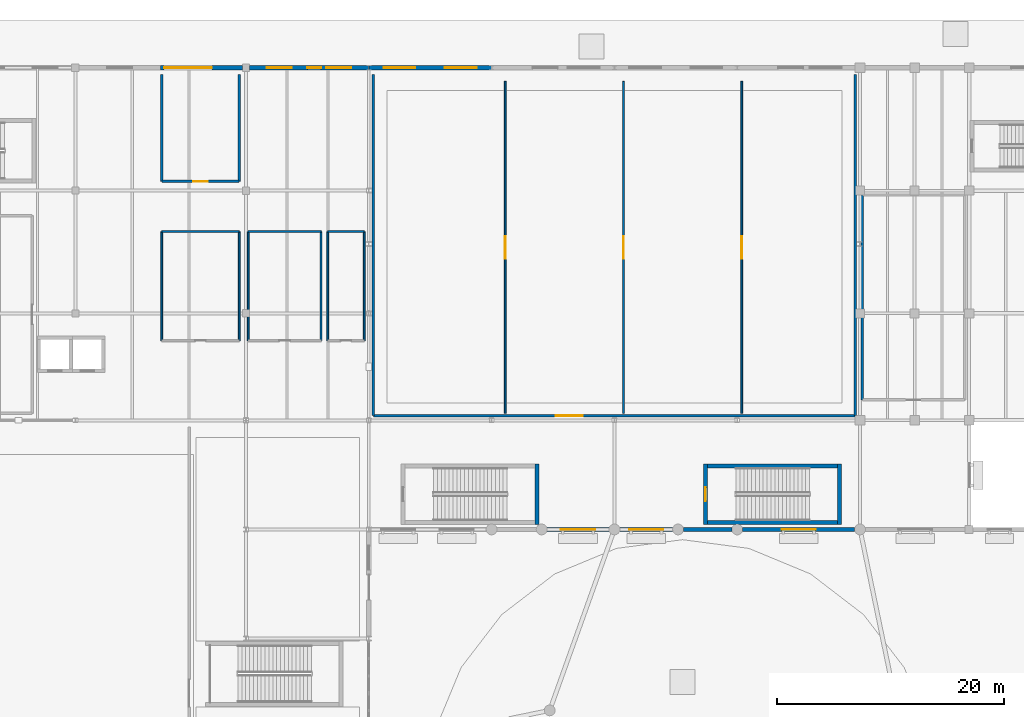
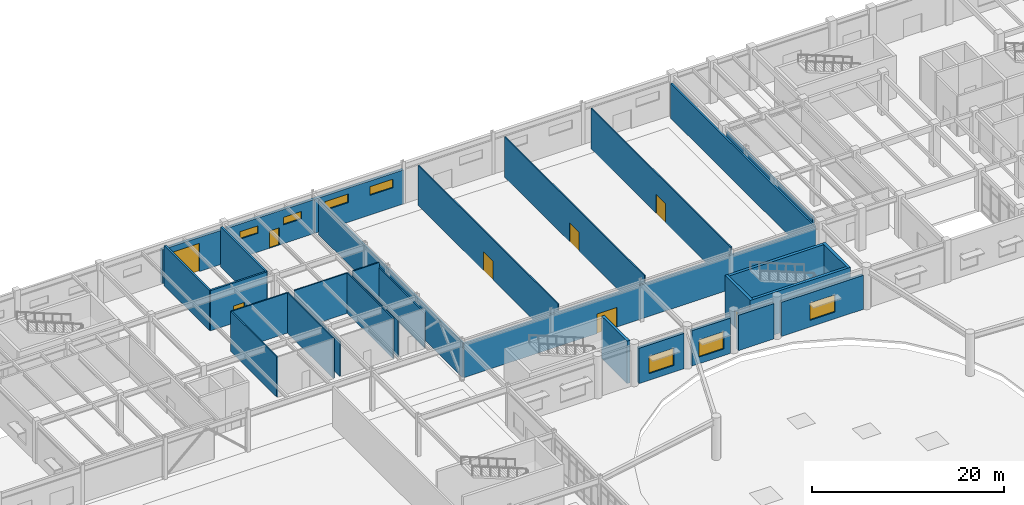
# One storey, part 32 of 54: 31 walls, 8 doors, 7 windows, 15 openings.
"""IFC4 building model written with IfcOpenShell, lengths in metres."""

from ifc_helpers import new_model, si_unit, direction, frame, frame_2d, origin, place, context, subcontext, project, spatial, rectangle, extrude, material, layer, layer_set, type_object, element, fill, save


model = new_model("IFC4")

# Units and contexts
model_context = context("Model", 3, precision=1e-05, world=origin(), true_north=direction((0.0, 1.0)))
body_context = subcontext(model_context, "Body", "Model", "MODEL_VIEW")
ifc_project = project(units=[si_unit("LENGTHUNIT", "METRE"), si_unit("AREAUNIT", "SQUARE_METRE"), si_unit("VOLUMEUNIT", "CUBIC_METRE"), si_unit("PLANEANGLEUNIT", "RADIAN"), si_unit("MASSUNIT", "GRAM", prefix="KILO")], contexts=[model_context])

# Site, building, storey
site_placement = place(None, origin())
site = spatial("IfcSite", under=ifc_project, at=site_placement, CompositionType="ELEMENT")
building_placement = place(site_placement, origin())
building = spatial("IfcBuilding", under=site, at=building_placement, Name="Veldera Park Congress Hotel", CompositionType="ELEMENT")
storey_placement = place(building_placement, origin())
storey = spatial("IfcBuildingStorey", under=building, at=storey_placement, Name="L00", CompositionType="ELEMENT", Elevation=0.0)

# Wall, openings, door, windows
ifc_material_1 = material(Name="Architectural Sandstone Cladding (ASTM C616)", Category="masonry")
ifc_layer_1 = layer(ifc_material_1, 0.360107421875)
ifc_layer_set_1 = layer_set([ifc_layer_1], Name="Architectural Sandstone Cladding (ASTM C616)")
wall_type_1 = type_object("IfcWallType", Name="EW-STONE360", PredefinedType="STANDARD", material=ifc_layer_set_1)
wall_1_placement = place(storey_placement, frame((-1.609375, 58.0, 0.0), z_axis=(0.0, 0.0, 1.0), x_axis=(-1.0, 0.0, 0.0)))
wall_1 = element("IfcWall", 1, at=wall_1_placement, inside=storey, type_object=wall_type_1, Name="L00 Exterior Wall EW3-L00-0019", PredefinedType="STANDARD", context=body_context, shape_type="SweptSolid", body=[
    extrude(rectangle(XDim=10.467529296875, YDim=0.360107421875, at=frame_2d((5.23388671875, 0.0))), origin(), (0.0, 0.0, 1.0), 4.3359375),
])
opening_1_placement = place(wall_1_placement, frame((4.190673828125, 0.0, 0.0)))
opening_1 = element("IfcOpeningElement", 2, at=opening_1_placement, cuts=wall_1, Name="Opening ED-SVC120", PredefinedType="OPENING", context=body_context, shape_type="SweptSolid", body=[
    extrude(rectangle(XDim=1.199951171875, YDim=2.199951171875, at=frame_2d((0.60009765625, 1.10009765625))), frame((0.0, 0.192138671875, 0.0), z_axis=(0.0, -1.0, 0.0), x_axis=(1.0, 0.0, 0.0)), (0.0, 0.0, 1.0), 0.384033203125),
])
opening_2_placement = place(wall_1_placement, frame((1.516845703125, 0.0, 2.39990234375)))
opening_2 = element("IfcOpeningElement", 3, at=opening_2_placement, cuts=wall_1, Name="Opening WIN-CLR2", PredefinedType="OPENING", context=body_context, shape_type="SweptSolid", body=[
    extrude(rectangle(XDim=2.199951171875, YDim=0.949951171875, at=frame_2d((1.10009765625, 0.47509765625))), frame((0.0, 0.192138671875, 0.0), z_axis=(0.0, -1.0, 0.0), x_axis=(1.0, 0.0, 0.0)), (0.0, 0.0, 1.0), 0.384033203125),
])
opening_3_placement = place(wall_1_placement, frame((6.750732421875, 0.0, 2.39990234375)))
opening_3 = element("IfcOpeningElement", 4, at=opening_3_placement, cuts=wall_1, Name="Opening WIN-CLR2", PredefinedType="OPENING", context=body_context, shape_type="SweptSolid", body=[
    extrude(rectangle(XDim=2.199951171875, YDim=0.949951171875, at=frame_2d((1.10009765625, 0.47509765625))), frame((0.0, 0.192138671875, 0.0), z_axis=(0.0, -1.0, 0.0), x_axis=(1.0, 0.0, 0.0)), (0.0, 0.0, 1.0), 0.384033203125),
])
ifc_material_2 = material(Name="Anodised Aluminium Alloy 6063-T6", Category="aluminium")
door_type_1 = type_object("IfcDoorType", Name="ED-SVC120", OperationType="NOTDEFINED", PredefinedType="DOOR", material=ifc_material_2)
door_1_placement = place(opening_1_placement, frame((1.199951171875, 0.0, 0.0), z_axis=(0.0, 0.0, 1.0), x_axis=(-1.0, 0.0, 0.0)))
door_1 = element("IfcDoor", 5, at=door_1_placement, inside=storey, type_object=door_type_1, Name="Exterior Service Door ED-FCC (DR3-EXT-L00-0011)", OperationType="SINGLE_SWING_RIGHT", OverallHeight=2.199951171875, OverallWidth=1.199951171875, PredefinedType="DOOR", context=body_context, shape_type="SweptSolid", body=[
    extrude(rectangle(XDim=1.199951171875, YDim=2.199951171875, at=frame_2d((0.60009765625, 1.10009765625))), frame((0.0, 0.02490234375, 0.0), z_axis=(0.0, -1.0, 0.0), x_axis=(1.0, 0.0, 0.0)), (0.0, 0.0, 1.0), 0.050048828125),
])
fill(opening_1, door_1)
ifc_material_3 = material(Name="Low-E Triple Insulating Glass Unit (SHGC 0.22)", Category="glass")
window_type_1 = type_object("IfcWindowType", Name="WIN-CLR2", PartitioningType="SINGLE_PANEL", PredefinedType="LIGHTDOME", material=ifc_material_3)
window_1_placement = place(opening_2_placement, origin())
window_1 = element("IfcWindow", 6, at=window_1_placement, inside=storey, type_object=window_type_1, Name="L00 Window WIN-CLR2 17", OverallHeight=0.949951171875, OverallWidth=2.199951171875, PartitioningType="SINGLE_PANEL", PredefinedType="LIGHTDOME", context=body_context, shape_type="SweptSolid", body=[
    extrude(rectangle(XDim=2.199951171875, YDim=0.949951171875, at=frame_2d((1.10009765625, 0.47509765625))), frame((0.0, 0.030029296875, 0.0), z_axis=(0.0, -1.0, 0.0), x_axis=(1.0, 0.0, 0.0)), (0.0, 0.0, 1.0), 0.06005859375),
])
fill(opening_2, window_1)
window_2_placement = place(opening_3_placement, origin())
window_2 = element("IfcWindow", 7, at=window_2_placement, inside=storey, type_object=window_type_1, Name="L00 Window WIN-CLR2 18", OverallHeight=0.949951171875, OverallWidth=2.199951171875, PartitioningType="SINGLE_PANEL", PredefinedType="LIGHTDOME", context=body_context, shape_type="SweptSolid", body=[
    extrude(rectangle(XDim=2.199951171875, YDim=0.949951171875, at=frame_2d((1.10009765625, 0.47509765625))), frame((0.0, 0.030029296875, 0.0), z_axis=(0.0, -1.0, 0.0), x_axis=(1.0, 0.0, 0.0)), (0.0, 0.0, 1.0), 0.06005859375),
])
fill(opening_3, window_2)

# Wall, opening, door
wall_2_placement = place(storey_placement, frame((-12.722900390625, 58.0, 0.0), z_axis=(0.0, 0.0, 1.0), x_axis=(-1.0, 0.0, 0.0)))
wall_2 = element("IfcWall", 8, at=wall_2_placement, inside=storey, type_object=wall_type_1, Name="L00 Exterior Wall EW3-L00-0020", PredefinedType="STANDARD", context=body_context, shape_type="SweptSolid", body=[
    extrude(rectangle(XDim=7.17919921875, YDim=0.360107421875, at=frame_2d((3.589599609375, 0.0))), origin(), (0.0, 0.0, 1.0), 4.3359375),
])
opening_4_placement = place(wall_2_placement, frame((2.677001953125, 0.0, 0.0)))
opening_4 = element("IfcOpeningElement", 9, at=opening_4_placement, cuts=wall_2, Name="Opening VG-4200", PredefinedType="OPENING", context=body_context, shape_type="SweptSolid", body=[
    extrude(rectangle(XDim=4.199951171875, YDim=3.60009765625, at=frame_2d((2.10009765625, 1.800048828125))), frame((0.0, 0.192138671875, 0.0), z_axis=(0.0, -1.0, 0.0), x_axis=(1.0, 0.0, 0.0)), (0.0, 0.0, 1.0), 0.384033203125),
])
door_type_2 = type_object("IfcDoorType", Name="VG-4200", OperationType="ROLLINGUP", PredefinedType="TRAPDOOR", material=ifc_material_2)
door_2_placement = place(opening_4_placement, frame((4.199951171875, 0.0, 0.0), z_axis=(0.0, 0.0, 1.0), x_axis=(-1.0, 0.0, 0.0)))
door_2 = element("IfcDoor", 10, at=door_2_placement, inside=storey, type_object=door_type_2, Name="Loading Dock Roller Shutter LDK-01 (DR3-EXT-L00-0012)", OperationType="ROLLINGUP", OverallHeight=3.60009765625, OverallWidth=4.199951171875, PredefinedType="TRAPDOOR", context=body_context, shape_type="SweptSolid", body=[
    extrude(rectangle(XDim=4.199951171875, YDim=3.60009765625, at=frame_2d((2.10009765625, 1.800048828125))), frame((0.0, 0.02490234375, 0.0), z_axis=(0.0, -1.0, 0.0), x_axis=(1.0, 0.0, 0.0)), (0.0, 0.0, 1.0), 0.050048828125),
])
fill(opening_4, door_2)

# Wall, openings, windows
wall_3_placement = place(storey_placement, frame((9.190673828125, 58.0, 0.0), z_axis=(0.0, 0.0, 1.0), x_axis=(-1.0, 0.0, 0.0)))
wall_3 = element("IfcWall", 11, at=wall_3_placement, inside=storey, type_object=wall_type_1, Name="L00 Exterior Wall EW3-L00-0029", PredefinedType="STANDARD", context=body_context, shape_type="SweptSolid", body=[
    extrude(rectangle(XDim=10.781494140625, YDim=0.360107421875, at=frame_2d((5.390625, 0.0))), origin(), (0.0, 0.0, 1.0), 4.3359375),
])
opening_5_placement = place(wall_3_placement, frame((1.29541015625, 0.0, 2.5)))
opening_5 = element("IfcOpeningElement", 12, at=opening_5_placement, cuts=wall_3, Name="Opening WIN-CLR", PredefinedType="OPENING", context=body_context, shape_type="SweptSolid", body=[
    extrude(rectangle(XDim=2.800048828125, YDim=1.10009765625, at=frame_2d((1.39990234375, 0.550048828125))), frame((0.0, 0.192138671875, 0.0), z_axis=(0.0, -1.0, 0.0), x_axis=(1.0, 0.0, 0.0)), (0.0, 0.0, 1.0), 0.384033203125),
])
opening_6_placement = place(wall_3_placement, frame((6.68603515625, 0.0, 2.5)))
opening_6 = element("IfcOpeningElement", 13, at=opening_6_placement, cuts=wall_3, Name="Opening WIN-CLR", PredefinedType="OPENING", context=body_context, shape_type="SweptSolid", body=[
    extrude(rectangle(XDim=2.800048828125, YDim=1.10009765625, at=frame_2d((1.39990234375, 0.550048828125))), frame((0.0, 0.192138671875, 0.0), z_axis=(0.0, -1.0, 0.0), x_axis=(1.0, 0.0, 0.0)), (0.0, 0.0, 1.0), 0.384033203125),
])
window_type_2 = type_object("IfcWindowType", Name="WIN-CLR", PartitioningType="SINGLE_PANEL", PredefinedType="LIGHTDOME", material=ifc_material_3)
window_3_placement = place(opening_5_placement, origin())
window_3 = element("IfcWindow", 14, at=window_3_placement, inside=storey, type_object=window_type_2, Name="L00 Window WIN-CLR 28", OverallHeight=1.10009765625, OverallWidth=2.800048828125, PartitioningType="SINGLE_PANEL", PredefinedType="LIGHTDOME", context=body_context, shape_type="SweptSolid", body=[
    extrude(rectangle(XDim=2.800048828125, YDim=1.10009765625, at=frame_2d((1.39990234375, 0.550048828125))), frame((0.0, 0.030029296875, 0.0), z_axis=(0.0, -1.0, 0.0), x_axis=(1.0, 0.0, 0.0)), (0.0, 0.0, 1.0), 0.06005859375),
])
fill(opening_5, window_3)
window_4_placement = place(opening_6_placement, origin())
window_4 = element("IfcWindow", 15, at=window_4_placement, inside=storey, type_object=window_type_2, Name="L00 Window WIN-CLR 29", OverallHeight=1.10009765625, OverallWidth=2.800048828125, PartitioningType="SINGLE_PANEL", PredefinedType="LIGHTDOME", context=body_context, shape_type="SweptSolid", body=[
    extrude(rectangle(XDim=2.800048828125, YDim=1.10009765625, at=frame_2d((1.39990234375, 0.550048828125))), frame((0.0, 0.030029296875, 0.0), z_axis=(0.0, -1.0, 0.0), x_axis=(1.0, 0.0, 0.0)), (0.0, 0.0, 1.0), 0.06005859375),
])
fill(opening_6, window_4)

# Wall, opening, window
wall_4_placement = place(storey_placement, frame((14.072998046875, 17.39990234375, 0.0), z_axis=(0.0, 0.0, 1.0), x_axis=(1.0, 0.0, 0.0)))
wall_4 = element("IfcWall", 16, at=wall_4_placement, inside=storey, type_object=wall_type_1, Name="L00 Exterior Wall EW3-L00-0033", PredefinedType="STANDARD", context=body_context, shape_type="SweptSolid", body=[
    extrude(rectangle(XDim=5.4541015625, YDim=0.360107421875, at=frame_2d((2.72705078125, 0.0))), origin(), (0.0, 0.0, 1.0), 4.5029296875),
])
opening_7_placement = place(wall_4_placement, frame((1.22705078125, 0.0, 0.85009765625)))
opening_7 = element("IfcOpeningElement", 17, at=opening_7_placement, cuts=wall_4, Name="Opening WIN-3000", PredefinedType="OPENING", context=body_context, shape_type="SweptSolid", body=[
    extrude(rectangle(XDim=3.0, YDim=2.199951171875, at=frame_2d((1.5, 1.10009765625))), frame((0.0, 0.192138671875, 0.0), z_axis=(0.0, -1.0, 0.0), x_axis=(1.0, 0.0, 0.0)), (0.0, 0.0, 1.0), 0.384033203125),
])
window_type_3 = type_object("IfcWindowType", Name="WIN-3000", PartitioningType="TRIPLE_PANEL_VERTICAL", PredefinedType="WINDOW", material=ifc_material_3)
window_5_placement = place(opening_7_placement, origin())
window_5 = element("IfcWindow", 18, at=window_5_placement, inside=storey, type_object=window_type_3, Name="L00 Window WIN-3000 33", OverallHeight=2.199951171875, OverallWidth=3.0, PartitioningType="TRIPLE_PANEL_VERTICAL", PredefinedType="WINDOW", context=body_context, shape_type="SweptSolid", body=[
    extrude(rectangle(XDim=3.0, YDim=2.199951171875, at=frame_2d((1.5, 1.10009765625))), frame((0.0, 0.030029296875, 0.0), z_axis=(0.0, -1.0, 0.0), x_axis=(1.0, 0.0, 0.0)), (0.0, 0.0, 1.0), 0.06005859375),
])
fill(opening_7, window_5)

wall_5_placement = place(storey_placement, frame((20.472900390625, 17.39990234375, 0.0), z_axis=(0.0, 0.0, 1.0), x_axis=(1.0, 0.0, 0.0)))
wall_5 = element("IfcWall", 19, at=wall_5_placement, inside=storey, type_object=wall_type_1, Name="L00 Exterior Wall EW3-L00-0034", PredefinedType="STANDARD", context=body_context, shape_type="SweptSolid", body=[
    extrude(rectangle(XDim=4.654052734375, YDim=0.360107421875, at=frame_2d((2.3271484375, 0.0))), origin(), (0.0, 0.0, 1.0), 4.5029296875),
])
opening_8_placement = place(wall_5_placement, frame((0.826904296875, 0.0, 0.85009765625)))
opening_8 = element("IfcOpeningElement", 20, at=opening_8_placement, cuts=wall_5, Name="Opening WIN-3000", PredefinedType="OPENING", context=body_context, shape_type="SweptSolid", body=[
    extrude(rectangle(XDim=3.0, YDim=2.199951171875, at=frame_2d((1.5, 1.10009765625))), frame((0.0, 0.192138671875, 0.0), z_axis=(0.0, -1.0, 0.0), x_axis=(1.0, 0.0, 0.0)), (0.0, 0.0, 1.0), 0.384033203125),
])
window_6_placement = place(opening_8_placement, origin())
window_6 = element("IfcWindow", 21, at=window_6_placement, inside=storey, type_object=window_type_3, Name="L00 Window WIN-3000 34", OverallHeight=2.199951171875, OverallWidth=3.0, PartitioningType="TRIPLE_PANEL_VERTICAL", PredefinedType="WINDOW", context=body_context, shape_type="SweptSolid", body=[
    extrude(rectangle(XDim=3.0, YDim=2.199951171875, at=frame_2d((1.5, 1.10009765625))), frame((0.0, 0.030029296875, 0.0), z_axis=(0.0, -1.0, 0.0), x_axis=(1.0, 0.0, 0.0)), (0.0, 0.0, 1.0), 0.06005859375),
])
fill(opening_8, window_6)

# Wall
wall_6_placement = place(storey_placement, frame((26.072998046875, 17.39990234375, 0.0), z_axis=(0.0, 0.0, 1.0), x_axis=(1.0, 0.0, 0.0)))
element("IfcWall", 22, at=wall_6_placement, inside=storey, type_object=wall_type_1, Name="L00 Exterior Wall EW3-L00-0035", PredefinedType="STANDARD", context=body_context, shape_type="SweptSolid", body=[
    extrude(rectangle(XDim=4.25390625, YDim=0.360107421875, at=frame_2d((2.126953125, 0.0))), origin(), (0.0, 0.0, 1.0), 4.5029296875),
])

# Wall, opening, window
wall_7_placement = place(storey_placement, frame((31.27294921875, 17.39990234375, 0.0), z_axis=(0.0, 0.0, 1.0), x_axis=(1.0, 0.0, 0.0)))
wall_7 = element("IfcWall", 23, at=wall_7_placement, inside=storey, type_object=wall_type_1, Name="L00 Exterior Wall EW3-L00-0036", PredefinedType="STANDARD", context=body_context, shape_type="SweptSolid", body=[
    extrude(rectangle(XDim=9.85400390625, YDim=0.360107421875, at=frame_2d((4.927001953125, 0.0))), origin(), (0.0, 0.0, 1.0), 4.3359375),
])
opening_9_placement = place(wall_7_placement, frame((3.427001953125, 0.0, 0.85009765625)))
opening_9 = element("IfcOpeningElement", 24, at=opening_9_placement, cuts=wall_7, Name="Opening WIN-3000", PredefinedType="OPENING", context=body_context, shape_type="SweptSolid", body=[
    extrude(rectangle(XDim=3.0, YDim=2.199951171875, at=frame_2d((1.5, 1.10009765625))), frame((0.0, 0.192138671875, 0.0), z_axis=(0.0, -1.0, 0.0), x_axis=(1.0, 0.0, 0.0)), (0.0, 0.0, 1.0), 0.384033203125),
])
window_7_placement = place(opening_9_placement, origin())
window_7 = element("IfcWindow", 25, at=window_7_placement, inside=storey, type_object=window_type_3, Name="L00 Window WIN-3000 35", OverallHeight=2.199951171875, OverallWidth=3.0, PartitioningType="TRIPLE_PANEL_VERTICAL", PredefinedType="WINDOW", context=body_context, shape_type="SweptSolid", body=[
    extrude(rectangle(XDim=3.0, YDim=2.199951171875, at=frame_2d((1.5, 1.10009765625))), frame((0.0, 0.030029296875, 0.0), z_axis=(0.0, -1.0, 0.0), x_axis=(1.0, 0.0, 0.0)), (0.0, 0.0, 1.0), 0.06005859375),
])
fill(opening_9, window_7)

# Wall
ifc_material_4 = material(Name="Fire-Rated Gypsum Board on Cold-Formed Steel Studs", Category="steel")
ifc_layer_2 = layer(ifc_material_4, 0.195068359375)
ifc_layer_set_2 = layer_set([ifc_layer_2], Name="Fire-Rated Gypsum Board on Cold-Formed Steel Studs")
wall_type_2 = type_object("IfcWallType", Name="IW-CORR195", PredefinedType="PARTITIONING", material=ifc_layer_set_2)
wall_8_placement = place(storey_placement, frame((41.800048828125, 46.800048828125, 0.0), z_axis=(0.0, 0.0, 1.0), x_axis=(0.0, -1.0, 0.0)))
element("IfcWall", 26, at=wall_8_placement, inside=storey, type_object=wall_type_2, Name="L00 Partition Wall IW3-L00-00073", PredefinedType="PARTITIONING", context=body_context, shape_type="SweptSolid", body=[
    extrude(rectangle(XDim=18.0, YDim=0.195068359375, at=frame_2d((9.0, 0.0))), origin(), (0.0, 0.0, 1.0), 4.498046875),
])

# Wall, opening, door
ifc_material_5 = material(Name="Concrete f'c 40 MPa (5,800 psi)", Category="concrete")
ifc_layer_3 = layer(ifc_material_5, 0.219970703125)
ifc_layer_set_3 = layer_set([ifc_layer_3], Name="Concrete f'c 40 MPa (5,800 psi)")
wall_type_3 = type_object("IfcWallType", Name="IW-FIRE220", PredefinedType="STANDARD", material=ifc_layer_set_3)
wall_9_placement = place(storey_placement, frame((-19.800048828125, 48.0, 0.0), z_axis=(0.0, 0.0, 1.0), x_axis=(1.0, 0.0, 0.0)))
wall_9 = element("IfcWall", 27, at=wall_9_placement, inside=storey, type_object=wall_type_3, Name="L00 Partition Wall IW3-L00-00064", PredefinedType="STANDARD", context=body_context, shape_type="SweptSolid", body=[
    extrude(rectangle(XDim=6.800048828125, YDim=0.219970703125, at=frame_2d((3.39990234375, 0.0))), origin(), (0.0, 0.0, 1.0), 5.1201171875),
])
opening_10_placement = place(wall_9_placement, frame((2.75, 0.0, 0.0)))
opening_10 = element("IfcOpeningElement", 28, at=opening_10_placement, cuts=wall_9, Name="Opening ID-PLANT130", PredefinedType="OPENING", context=body_context, shape_type="SweptSolid", body=[
    extrude(rectangle(XDim=1.300048828125, YDim=2.199951171875, at=frame_2d((0.64990234375, 1.10009765625))), frame((0.0, 0.1220703125, 0.0), z_axis=(0.0, -1.0, 0.0), x_axis=(1.0, 0.0, 0.0)), (0.0, 0.0, 1.0), 0.243896484375),
])
ifc_material_6 = material(Name="Hollow Metal Fire-Rated Steel Door", Category="steel")
door_type_3 = type_object("IfcDoorType", Name="ID-PLANT130", OperationType="NOTDEFINED", PredefinedType="DOOR", material=ifc_material_6)
door_3_placement = place(opening_10_placement, origin())
door_3 = element("IfcDoor", 29, at=door_3_placement, inside=storey, type_object=door_type_3, Name="L00 Fire Command Center Door ID3-L00-0023 (DR3-ID3-L00-0023)", OperationType="SINGLE_SWING_RIGHT", OverallHeight=2.199951171875, OverallWidth=1.300048828125, PredefinedType="DOOR", context=body_context, shape_type="SweptSolid", body=[
    extrude(rectangle(XDim=1.300048828125, YDim=2.199951171875, at=frame_2d((0.64990234375, 1.10009765625))), frame((0.0, 0.02490234375, 0.0), z_axis=(0.0, -1.0, 0.0), x_axis=(1.0, 0.0, 0.0)), (0.0, 0.0, 1.0), 0.050048828125),
])
fill(opening_10, door_3)

# Walls
for number, where, z_axis, x_axis, name in (
    (30, (-13.0, 48.0, 0.0), (0.0, 0.0, 1.0), (0.0, 1.0, 0.0), "L00 Partition Wall IW3-L00-00065"),
    (31, (-19.800048828125, 57.39990234375, 0.0), (0.0, 0.0, 1.0), (0.0, -1.0, 0.0), "L00 Partition Wall IW3-L00-00066"),
):
    element("IfcWall", number, at=place(storey_placement, frame(where, z_axis=z_axis, x_axis=x_axis)), inside=storey, type_object=wall_type_3, Name=name, PredefinedType="STANDARD", context=body_context, shape_type="SweptSolid", body=[
        extrude(rectangle(XDim=9.39990234375, YDim=0.219970703125, at=frame_2d((4.699951171875, 0.0))), origin(), (0.0, 0.0, 1.0), 5.1201171875),
    ])

# Wall, opening, door
wall_10_placement = place(storey_placement, frame((-1.199951171875, 27.39990234375, 0.0), z_axis=(0.0, 0.0, 1.0), x_axis=(1.0, 0.0, 0.0)))
wall_10 = element("IfcWall", 32, at=wall_10_placement, inside=storey, type_object=wall_type_3, Name="L00 Partition Wall IW3-L00-00067", PredefinedType="STANDARD", context=body_context, shape_type="SweptSolid", body=[
    extrude(rectangle(XDim=42.39990234375, YDim=0.219970703125, at=frame_2d((21.199951171875, 0.0))), origin(), (0.0, 0.0, 1.0), 4.3359375),
])
opening_11_placement = place(wall_10_placement, frame((16.02392578125, 0.0, 0.0)))
opening_11 = element("IfcOpeningElement", 33, at=opening_11_placement, cuts=wall_10, Name="Opening ID-HALL240", PredefinedType="OPENING", context=body_context, shape_type="SweptSolid", body=[
    extrude(rectangle(XDim=2.39990234375, YDim=2.5, at=frame_2d((1.199951171875, 1.25))), frame((0.0, 0.1220703125, 0.0), z_axis=(0.0, -1.0, 0.0), x_axis=(1.0, 0.0, 0.0)), (0.0, 0.0, 1.0), 0.243896484375),
])
ifc_material_7 = material(Name="Solid Core White Oak Architectural Door", Category="wood")
door_type_4 = type_object("IfcDoorType", Name="ID-HALL240", OperationType="DOUBLE_DOOR_SINGLE_SWING", PredefinedType="DOOR", material=ifc_material_7)
door_4_placement = place(opening_11_placement, origin())
door_4 = element("IfcDoor", 34, at=door_4_placement, inside=storey, type_object=door_type_4, Name="L00 Grand Desert Ballroom Door ID3-L00-0024 (DR3-ID3-L00-0024)", OperationType="DOUBLE_DOOR_SINGLE_SWING", OverallHeight=2.5, OverallWidth=2.39990234375, PredefinedType="DOOR", context=body_context, shape_type="SweptSolid", body=[
    extrude(rectangle(XDim=2.39990234375, YDim=2.5, at=frame_2d((1.199951171875, 1.25))), frame((0.0, 0.02490234375, 0.0), z_axis=(0.0, -1.0, 0.0), x_axis=(1.0, 0.0, 0.0)), (0.0, 0.0, 1.0), 0.050048828125),
])
fill(opening_11, door_4)

# Walls
for number, where, z_axis, x_axis, name in (
    (35, (41.199951171875, 27.39990234375, 0.0), (0.0, 0.0, 1.0), (0.0, 1.0, 0.0), "L00 Partition Wall IW3-L00-00068"),
    (36, (-1.199951171875, 57.39990234375, 0.0), (0.0, 0.0, 1.0), (0.0, -1.0, 0.0), "L00 Partition Wall IW3-L00-00069"),
):
    element("IfcWall", number, at=place(storey_placement, frame(where, z_axis=z_axis, x_axis=x_axis)), inside=storey, type_object=wall_type_3, Name=name, PredefinedType="STANDARD", context=body_context, shape_type="SweptSolid", body=[
        extrude(rectangle(XDim=30.0, YDim=0.219970703125, at=frame_2d((15.0, 0.0))), origin(), (0.0, 0.0, 1.0), 4.422119140625),
    ])

# Wall, opening, door
ifc_material_8 = material(Name="Micro-Perforated Western Hemlock Acoustic Timber", Category="wood")
ifc_layer_4 = layer(ifc_material_8, 0.139892578125)
ifc_layer_set_4 = layer_set([ifc_layer_4], Name="Micro-Perforated Western Hemlock Acoustic Timber")
wall_type_4 = type_object("IfcWallType", Name="IW-MOV140", PredefinedType="MOVABLE", material=ifc_layer_set_4)
wall_11_placement = place(storey_placement, frame((10.39990234375, 27.60009765625, 0.0), z_axis=(0.0, 0.0, 1.0), x_axis=(0.0, 1.0, 0.0)))
wall_11 = element("IfcWall", 37, at=wall_11_placement, inside=storey, type_object=wall_type_4, Name="L00 Partition Wall IW3-L00-00358", PredefinedType="MOVABLE", context=body_context, shape_type="SweptSolid", body=[
    extrude(rectangle(XDim=29.199951171875, YDim=0.139892578125, at=frame_2d((14.60009765625, 0.0))), origin(), (0.0, 0.0, 1.0), 5.1201171875),
])
opening_12_placement = place(wall_11_placement, frame((13.60009765625, 0.0, 0.0)))
opening_12 = element("IfcOpeningElement", 38, at=opening_12_placement, cuts=wall_11, Name="Opening ID-HALL200", PredefinedType="OPENING", context=body_context, shape_type="SweptSolid", body=[
    extrude(rectangle(XDim=2.0, YDim=2.39990234375, at=frame_2d((1.0, 1.199951171875))), frame((0.0, 0.08203125, 0.0), z_axis=(0.0, -1.0, 0.0), x_axis=(1.0, 0.0, 0.0)), (0.0, 0.0, 1.0), 0.163818359375),
])
door_type_5 = type_object("IfcDoorType", Name="ID-HALL200", OperationType="DOUBLE_DOOR_SINGLE_SWING", PredefinedType="DOOR", material=ifc_material_7)
door_5_placement = place(opening_12_placement, origin())
door_5 = element("IfcDoor", 39, at=door_5_placement, inside=storey, type_object=door_type_5, Name="L00 Ballroom Operable Partition 1 Door ID3-L00-0137 (DR3-ID3-L00-0137)", OperationType="DOUBLE_DOOR_SINGLE_SWING", OverallHeight=2.39990234375, OverallWidth=2.0, PredefinedType="DOOR", context=body_context, shape_type="SweptSolid", body=[
    extrude(rectangle(XDim=2.0, YDim=2.39990234375, at=frame_2d((1.0, 1.199951171875))), frame((0.0, 0.02490234375, 0.0), z_axis=(0.0, -1.0, 0.0), x_axis=(1.0, 0.0, 0.0)), (0.0, 0.0, 1.0), 0.050048828125),
])
fill(opening_12, door_5)

wall_12_placement = place(storey_placement, frame((20.800048828125, 27.60009765625, 0.0), z_axis=(0.0, 0.0, 1.0), x_axis=(0.0, 1.0, 0.0)))
wall_12 = element("IfcWall", 40, at=wall_12_placement, inside=storey, type_object=wall_type_4, Name="L00 Partition Wall IW3-L00-00359", PredefinedType="MOVABLE", context=body_context, shape_type="SweptSolid", body=[
    extrude(rectangle(XDim=29.199951171875, YDim=0.139892578125, at=frame_2d((14.60009765625, 0.0))), origin(), (0.0, 0.0, 1.0), 5.1201171875),
])
opening_13_placement = place(wall_12_placement, frame((13.60009765625, 0.0, 0.0)))
opening_13 = element("IfcOpeningElement", 41, at=opening_13_placement, cuts=wall_12, Name="Opening ID-HALL200", PredefinedType="OPENING", context=body_context, shape_type="SweptSolid", body=[
    extrude(rectangle(XDim=2.0, YDim=2.39990234375, at=frame_2d((1.0, 1.199951171875))), frame((0.0, 0.08203125, 0.0), z_axis=(0.0, -1.0, 0.0), x_axis=(1.0, 0.0, 0.0)), (0.0, 0.0, 1.0), 0.163818359375),
])
door_6_placement = place(opening_13_placement, origin())
door_6 = element("IfcDoor", 42, at=door_6_placement, inside=storey, type_object=door_type_5, Name="L00 Ballroom Operable Partition 2 Door ID3-L00-0138 (DR3-ID3-L00-0138)", OperationType="DOUBLE_DOOR_SINGLE_SWING", OverallHeight=2.39990234375, OverallWidth=2.0, PredefinedType="DOOR", context=body_context, shape_type="SweptSolid", body=[
    extrude(rectangle(XDim=2.0, YDim=2.39990234375, at=frame_2d((1.0, 1.199951171875))), frame((0.0, 0.02490234375, 0.0), z_axis=(0.0, -1.0, 0.0), x_axis=(1.0, 0.0, 0.0)), (0.0, 0.0, 1.0), 0.050048828125),
])
fill(opening_13, door_6)

wall_13_placement = place(storey_placement, frame((31.199951171875, 27.60009765625, 0.0), z_axis=(0.0, 0.0, 1.0), x_axis=(0.0, 1.0, 0.0)))
wall_13 = element("IfcWall", 43, at=wall_13_placement, inside=storey, type_object=wall_type_4, Name="L00 Partition Wall IW3-L00-00360", PredefinedType="MOVABLE", context=body_context, shape_type="SweptSolid", body=[
    extrude(rectangle(XDim=29.199951171875, YDim=0.139892578125, at=frame_2d((14.60009765625, 0.0))), origin(), (0.0, 0.0, 1.0), 5.1201171875),
])
opening_14_placement = place(wall_13_placement, frame((13.60009765625, 0.0, 0.0)))
opening_14 = element("IfcOpeningElement", 44, at=opening_14_placement, cuts=wall_13, Name="Opening ID-HALL200", PredefinedType="OPENING", context=body_context, shape_type="SweptSolid", body=[
    extrude(rectangle(XDim=2.0, YDim=2.39990234375, at=frame_2d((1.0, 1.199951171875))), frame((0.0, 0.08203125, 0.0), z_axis=(0.0, -1.0, 0.0), x_axis=(1.0, 0.0, 0.0)), (0.0, 0.0, 1.0), 0.163818359375),
])
door_7_placement = place(opening_14_placement, origin())
door_7 = element("IfcDoor", 45, at=door_7_placement, inside=storey, type_object=door_type_5, Name="L00 Ballroom Operable Partition 3 Door ID3-L00-0139 (DR3-ID3-L00-0139)", OperationType="DOUBLE_DOOR_SINGLE_SWING", OverallHeight=2.39990234375, OverallWidth=2.0, PredefinedType="DOOR", context=body_context, shape_type="SweptSolid", body=[
    extrude(rectangle(XDim=2.0, YDim=2.39990234375, at=frame_2d((1.0, 1.199951171875))), frame((0.0, 0.02490234375, 0.0), z_axis=(0.0, -1.0, 0.0), x_axis=(1.0, 0.0, 0.0)), (0.0, 0.0, 1.0), 0.050048828125),
])
fill(opening_14, door_7)

# Walls
ifc_layer_5 = layer(ifc_material_4, 0.14990234375)
ifc_layer_set_5 = layer_set([ifc_layer_5], Name="Fire-Rated Gypsum Board on Cold-Formed Steel Studs")
wall_type_5 = type_object("IfcWallType", Name="IW-PLMB150", PredefinedType="PLUMBINGWALL", material=ifc_layer_set_5)
wall_14_placement = place(storey_placement, frame((-13.0, 34.0, 0.0), z_axis=(0.0, 0.0, 1.0), x_axis=(0.0, 1.0, 0.0)))
element("IfcWall", 46, at=wall_14_placement, inside=storey, type_object=wall_type_5, Name="L00 Partition Wall IW3-L00-00053", PredefinedType="PLUMBINGWALL", context=body_context, shape_type="SweptSolid", body=[
    extrude(rectangle(XDim=9.60009765625, YDim=0.14990234375, at=frame_2d((4.800048828125, 0.0))), origin(), (0.0, 0.0, 1.0), 5.1201171875),
])
wall_15_placement = place(storey_placement, frame((-13.0, 43.60009765625, 0.0), z_axis=(0.0, 0.0, 1.0), x_axis=(-1.0, 0.0, 0.0)))
element("IfcWall", 47, at=wall_15_placement, inside=storey, type_object=wall_type_5, Name="L00 Partition Wall IW3-L00-00054", PredefinedType="PLUMBINGWALL", context=body_context, shape_type="SweptSolid", body=[
    extrude(rectangle(XDim=6.800048828125, YDim=0.14990234375, at=frame_2d((3.39990234375, 0.0))), origin(), (0.0, 0.0, 1.0), 5.1201171875),
])
for number, where, z_axis, x_axis, name in (
    (48, (-19.800048828125, 43.60009765625, 0.0), (0.0, 0.0, 1.0), (0.0, -1.0, 0.0), "L00 Partition Wall IW3-L00-00055"),
    (49, (-5.800048828125, 34.0, 0.0), (0.0, 0.0, 1.0), (0.0, 1.0, 0.0), "L00 Partition Wall IW3-L00-00057"),
):
    element("IfcWall", number, at=place(storey_placement, frame(where, z_axis=z_axis, x_axis=x_axis)), inside=storey, type_object=wall_type_5, Name=name, PredefinedType="PLUMBINGWALL", context=body_context, shape_type="SweptSolid", body=[
        extrude(rectangle(XDim=9.60009765625, YDim=0.14990234375, at=frame_2d((4.800048828125, 0.0))), origin(), (0.0, 0.0, 1.0), 5.1201171875),
    ])
wall_16_placement = place(storey_placement, frame((-5.800048828125, 43.60009765625, 0.0), z_axis=(0.0, 0.0, 1.0), x_axis=(-1.0, 0.0, 0.0)))
element("IfcWall", 50, at=wall_16_placement, inside=storey, type_object=wall_type_5, Name="L00 Partition Wall IW3-L00-00058", PredefinedType="PLUMBINGWALL", context=body_context, shape_type="SweptSolid", body=[
    extrude(rectangle(XDim=6.39990234375, YDim=0.14990234375, at=frame_2d((3.199951171875, 0.0))), origin(), (0.0, 0.0, 1.0), 5.1201171875),
])
wall_17_placement = place(storey_placement, frame((-12.199951171875, 43.60009765625, 0.0), z_axis=(0.0, 0.0, 1.0), x_axis=(0.0, -1.0, 0.0)))
element("IfcWall", 51, at=wall_17_placement, inside=storey, type_object=wall_type_5, Name="L00 Partition Wall IW3-L00-00059", PredefinedType="PLUMBINGWALL", context=body_context, shape_type="SweptSolid", body=[
    extrude(rectangle(XDim=9.60009765625, YDim=0.14990234375, at=frame_2d((4.800048828125, 0.0))), origin(), (0.0, 0.0, 1.0), 4.422119140625),
])
wall_18_placement = place(storey_placement, frame((-2.0, 34.0, 0.0), z_axis=(0.0, 0.0, 1.0), x_axis=(0.0, 1.0, 0.0)))
element("IfcWall", 52, at=wall_18_placement, inside=storey, type_object=wall_type_5, Name="L00 Partition Wall IW3-L00-00061", PredefinedType="PLUMBINGWALL", context=body_context, shape_type="SweptSolid", body=[
    extrude(rectangle(XDim=9.60009765625, YDim=0.14990234375, at=frame_2d((4.800048828125, 0.0))), origin(), (0.0, 0.0, 1.0), 4.498046875),
])
wall_19_placement = place(storey_placement, frame((-2.0, 43.60009765625, 0.0), z_axis=(0.0, 0.0, 1.0), x_axis=(-1.0, 0.0, 0.0)))
element("IfcWall", 53, at=wall_19_placement, inside=storey, type_object=wall_type_5, Name="L00 Partition Wall IW3-L00-00062", PredefinedType="PLUMBINGWALL", context=body_context, shape_type="SweptSolid", body=[
    extrude(rectangle(XDim=3.199951171875, YDim=0.14990234375, at=frame_2d((1.60009765625, 0.0))), origin(), (0.0, 0.0, 1.0), 5.1201171875),
])
wall_20_placement = place(storey_placement, frame((-5.199951171875, 43.60009765625, 0.0), z_axis=(0.0, 0.0, 1.0), x_axis=(0.0, -1.0, 0.0)))
element("IfcWall", 54, at=wall_20_placement, inside=storey, type_object=wall_type_5, Name="L00 Partition Wall IW3-L00-00063", PredefinedType="PLUMBINGWALL", context=body_context, shape_type="SweptSolid", body=[
    extrude(rectangle(XDim=9.60009765625, YDim=0.14990234375, at=frame_2d((4.800048828125, 0.0))), origin(), (0.0, 0.0, 1.0), 4.657958984375),
])
ifc_layer_6 = layer(ifc_material_5, 0.35009765625)
ifc_layer_set_6 = layer_set([ifc_layer_6], Name="Concrete f'c 40 MPa (5,800 psi)")
wall_type_6 = type_object("IfcWallType", Name="SW-CORE350", PredefinedType="SHEAR", material=ifc_layer_set_6)
wall_21_placement = place(storey_placement, frame((13.175048828125, 17.85009765625, 0.0), z_axis=(0.0, 0.0, 1.0), x_axis=(0.0, 1.0, 0.0)))
element("IfcWall", 55, at=wall_21_placement, inside=storey, type_object=wall_type_6, Name="Stair ST6 Core Wall L00-E", PredefinedType="SHEAR", context=body_context, shape_type="SweptSolid", body=[
    extrude(rectangle(XDim=5.2998046875, YDim=0.35009765625, at=frame_2d((2.64990234375, 0.0))), origin(), (0.0, 0.0, 1.0), 5.39990234375),
])
wall_22_placement = place(storey_placement, frame((27.85009765625, 18.02490234375, 0.0), z_axis=(0.0, 0.0, 1.0), x_axis=(1.0, 0.0, 0.0)))
element("IfcWall", 56, at=wall_22_placement, inside=storey, type_object=wall_type_6, Name="Stair ST7 Core Wall L00-S", PredefinedType="SHEAR", context=body_context, shape_type="SweptSolid", body=[
    extrude(rectangle(XDim=12.099853515625, YDim=0.35009765625, at=frame_2d((6.0498046875, 0.0))), origin(), (0.0, 0.0, 1.0), 5.39990234375),
])
wall_23_placement = place(storey_placement, frame((39.77490234375, 17.85009765625, 0.0), z_axis=(0.0, 0.0, 1.0), x_axis=(0.0, 1.0, 0.0)))
element("IfcWall", 57, at=wall_23_placement, inside=storey, type_object=wall_type_6, Name="Stair ST7 Core Wall L00-E", PredefinedType="SHEAR", context=body_context, shape_type="SweptSolid", body=[
    extrude(rectangle(XDim=5.2998046875, YDim=0.35009765625, at=frame_2d((2.64990234375, 0.0))), origin(), (0.0, 0.0, 1.0), 5.39990234375),
])
wall_24_placement = place(storey_placement, frame((39.949951171875, 22.97509765625, 0.0), z_axis=(0.0, 0.0, 1.0), x_axis=(-1.0, 0.0, 0.0)))
element("IfcWall", 58, at=wall_24_placement, inside=storey, type_object=wall_type_6, Name="Stair ST7 Core Wall L00-N", PredefinedType="SHEAR", context=body_context, shape_type="SweptSolid", body=[
    extrude(rectangle(XDim=12.099853515625, YDim=0.35009765625, at=frame_2d((6.0498046875, 0.0))), origin(), (0.0, 0.0, 1.0), 5.39990234375),
])

# Wall, opening, door
wall_25_placement = place(storey_placement, frame((28.02490234375, 23.14990234375, 0.0), z_axis=(0.0, 0.0, 1.0), x_axis=(0.0, -1.0, 0.0)))
wall_25 = element("IfcWall", 59, at=wall_25_placement, inside=storey, type_object=wall_type_6, Name="Stair ST7 Core Wall L00-W", PredefinedType="SHEAR", context=body_context, shape_type="SweptSolid", body=[
    extrude(rectangle(XDim=5.2998046875, YDim=0.35009765625, at=frame_2d((2.64990234375, 0.0))), origin(), (0.0, 0.0, 1.0), 5.39990234375),
])
opening_15_placement = place(wall_25_placement, frame((2.050048828125, 0.0, 0.0)))
opening_15 = element("IfcOpeningElement", 60, at=opening_15_placement, cuts=wall_25, Name="Opening ID-STAIR120", PredefinedType="OPENING", context=body_context, shape_type="SweptSolid", body=[
    extrude(rectangle(XDim=1.199951171875, YDim=2.199951171875, at=frame_2d((0.60009765625, 1.10009765625))), frame((0.0, 0.18701171875, 0.0), z_axis=(0.0, -1.0, 0.0), x_axis=(1.0, 0.0, 0.0)), (0.0, 0.0, 1.0), 0.3740234375),
])
door_type_6 = type_object("IfcDoorType", Name="ID-STAIR120", OperationType="NOTDEFINED", PredefinedType="DOOR", material=ifc_material_6)
door_8_placement = place(opening_15_placement, origin())
door_8 = element("IfcDoor", 61, at=door_8_placement, inside=storey, type_object=door_type_6, Name="L00 Stair ST7 Fire Door (DR3-SD-ST7-L00)", OperationType="SINGLE_SWING_LEFT", OverallHeight=2.199951171875, OverallWidth=1.199951171875, PredefinedType="DOOR", context=body_context, shape_type="SweptSolid", body=[
    extrude(rectangle(XDim=1.199951171875, YDim=2.199951171875, at=frame_2d((0.60009765625, 1.10009765625))), frame((0.0, 0.02490234375, 0.0), z_axis=(0.0, -1.0, 0.0), x_axis=(1.0, 0.0, 0.0)), (0.0, 0.0, 1.0), 0.050048828125),
])
fill(opening_15, door_8)

save(model, "model.ifc")
